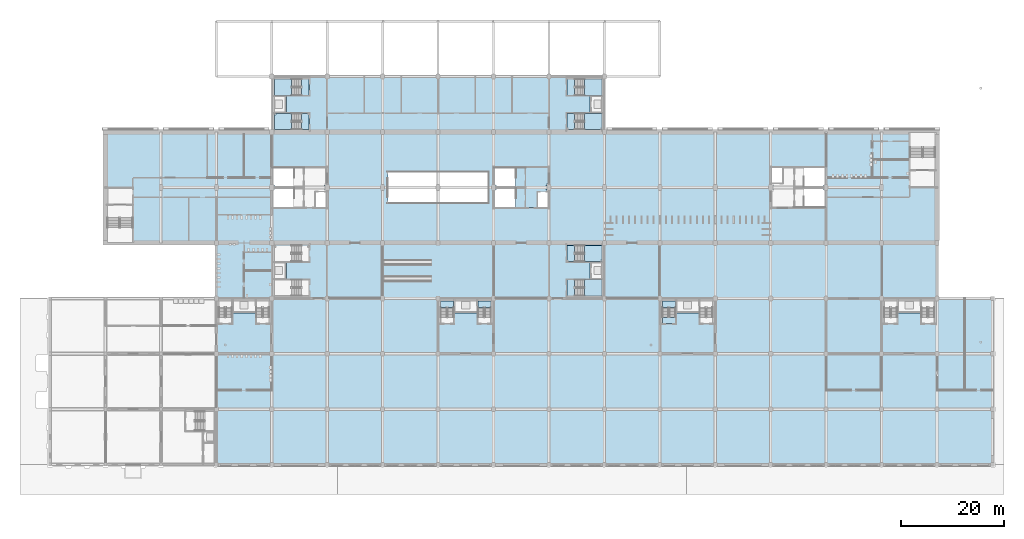
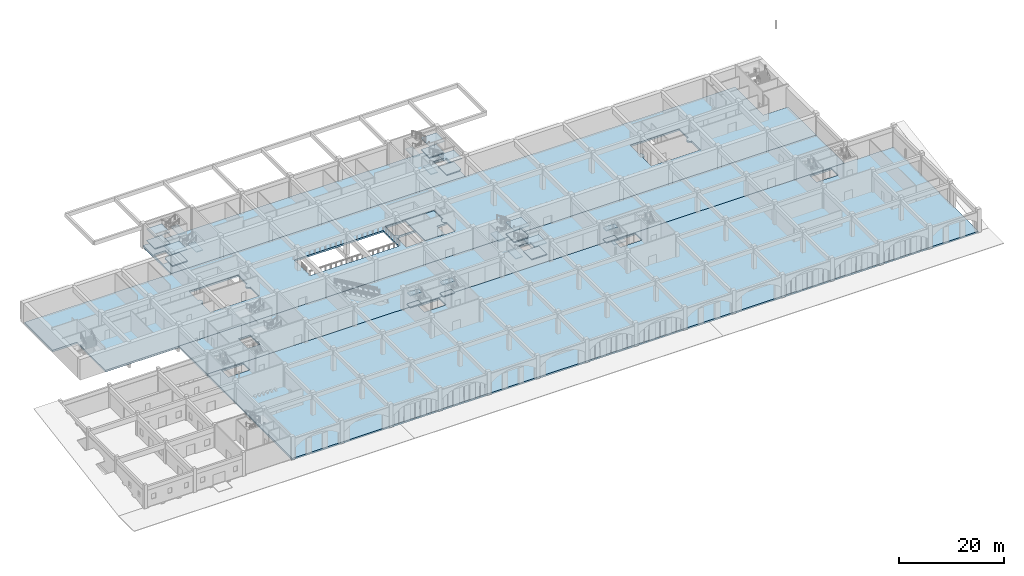
# One storey, part 23 of 101: 30 slabs, 9 elements without a shape of their own.
"""IFC4 building model written with IfcOpenShell, lengths in metres."""

import ifcopenshell
import ifcopenshell.guid

model = None  # the IFC model being written
_history = None  # IfcOwnerHistory: only IFC2X3 demands one
_inside = {}  # id of a spatial element -> (the spatial element, [elements in it])
_under = {}  # id of a project, library or spatial element -> (it, [spatial elements below it])
_declared = {}  # id of a project -> (the project, [libraries it declares])
_typed = {}  # id of a type object -> (the type object, [elements of that type])
_made_of = {}  # id of a material, layer set ... -> (it, [elements and type objects made of it])


def new_model(schema):
    """Start an empty IFC model of exactly this schema.

    Asked for "IFC4X3", IfcOpenShell would pick the latest addendum, in which some entities
    have other attributes; the version numbers below select the first issue.
    IFC2X3 requires an IfcOwnerHistory on every rooted entity: one is made here for all.
    """
    global model, _history
    if schema == "IFC4X3":
        model = ifcopenshell.file(schema_version=(4, 3, 0, 0))
    else:
        model = ifcopenshell.file(schema=schema)
    _inside.clear()
    _under.clear()
    _declared.clear()
    _typed.clear()
    _made_of.clear()
    _history = None
    if model.schema == "IFC2X3":
        org = make("IfcOrganization", Name="unknown")
        user = make(
            "IfcPersonAndOrganization",
            ThePerson=make("IfcPerson", FamilyName="unknown"),
            TheOrganization=org,
        )
        app = make(
            "IfcApplication",
            ApplicationDeveloper=org,
            Version="unknown",
            ApplicationFullName="unknown",
            ApplicationIdentifier="unknown",
        )
        _history = make(
            "IfcOwnerHistory",
            OwningUser=user,
            OwningApplication=app,
            ChangeAction="ADDED",
            CreationDate=0,
        )
    return model


def make(cls, **values):
    """One entity of the class cls with the attributes given. An attribute that is None is left unset."""
    return model.create_entity(
        cls, **{name: value for name, value in values.items() if value is not None}
    )


def rooted(cls, **values):
    """An entity with a GlobalId (a new one), such as an element, a storey or a relation."""
    return make(cls, GlobalId=ifcopenshell.guid.new(), OwnerHistory=_history, **values)


def si_unit(unit_type, name, prefix=None):
    """IfcSIUnit, for example si_unit("LENGTHUNIT", "METRE", prefix="MILLI")."""
    return make("IfcSIUnit", UnitType=unit_type, Prefix=prefix, Name=name)


def assignment(units):
    """IfcUnitAssignment: the units of a project."""
    return None if units is None else make("IfcUnitAssignment", Units=units)


def point(xyz):
    """IfcCartesianPoint."""
    return None if xyz is None else make("IfcCartesianPoint", Coordinates=xyz)


def direction(xyz):
    """IfcDirection."""
    return None if xyz is None else make("IfcDirection", DirectionRatios=xyz)


def frame(location, z_axis=None, x_axis=None):
    """IfcAxis2Placement3D, a coordinate frame: its origin and axes. An axis left out is left unset."""
    return make(
        "IfcAxis2Placement3D",
        Location=point(location),
        Axis=direction(z_axis),
        RefDirection=direction(x_axis),
    )


def origin():
    """The frame at (0, 0, 0) with its axes left unset."""
    return frame((0.0, 0.0, 0.0))


def place(relative_to, where):
    """IfcLocalPlacement: puts the frame where relative to a parent placement (None: the world)."""
    return make(
        "IfcLocalPlacement", PlacementRelTo=relative_to, RelativePlacement=where
    )


def context(
    kind, dimensions, precision=None, world=None, true_north=None, identifier=None
):
    """IfcGeometricRepresentationContext, for example the 3D "Model" context."""
    return make(
        "IfcGeometricRepresentationContext",
        ContextIdentifier=identifier,
        ContextType=kind,
        CoordinateSpaceDimension=dimensions,
        Precision=precision,
        WorldCoordinateSystem=world,
        TrueNorth=true_north,
    )


def subcontext(parent, identifier, kind, view, scale=None):
    """IfcGeometricRepresentationSubContext, for example "Body" below "Model"."""
    return make(
        "IfcGeometricRepresentationSubContext",
        ContextIdentifier=identifier,
        ContextType=kind,
        ParentContext=parent,
        TargetScale=scale,
        TargetView=view,
    )


def project(units=None, contexts=None):
    """IfcProject with its units and contexts."""
    return rooted(
        "IfcProject",
        Name="project",
        RepresentationContexts=contexts,
        UnitsInContext=assignment(units),
    )


def spatial(cls, under=None, at=None, **own):
    """A site, building, storey or space (cls), placed at a placement, below another one or the project."""
    s = rooted(cls, ObjectPlacement=at, **own)
    if under is not None:
        _under.setdefault(under.id(), (under, []))[1].append(s)
    return s


def polyline(points):
    """IfcPolyline through the points."""
    return make("IfcPolyline", Points=[point(p) for p in points])


def outline(outer, holes=None, kind="AREA"):
    """IfcArbitraryClosedProfileDef: a profile drawn as a closed curve; with holes, ...WithVoids."""
    if holes is None:
        return make("IfcArbitraryClosedProfileDef", ProfileType=kind, OuterCurve=outer)
    return make(
        "IfcArbitraryProfileDefWithVoids",
        ProfileType=kind,
        OuterCurve=outer,
        InnerCurves=holes,
    )


def extrude(swept, where, along, depth):
    """IfcExtrudedAreaSolid: the profile swept, set in the frame where, extruded along a direction by depth."""
    return make(
        "IfcExtrudedAreaSolid",
        SweptArea=swept,
        Position=where,
        ExtrudedDirection=direction(along),
        Depth=depth,
    )


def shape(context_of_items, identifier, shape_type, items):
    """IfcShapeRepresentation: the items that make up one representation, for example the "Body"."""
    return make(
        "IfcShapeRepresentation",
        ContextOfItems=context_of_items,
        RepresentationIdentifier=identifier,
        RepresentationType=shape_type,
        Items=items,
    )


def material(Name=None, Category=None):
    """IfcMaterial."""
    return make("IfcMaterial", Name=Name, Category=Category)


def layer(
    of_material, thickness, ventilated=None, Name=None, Category=None, Priority=None
):
    """IfcMaterialLayer: one layer of a wall or slab, of a material (None: an air gap)."""
    return make(
        "IfcMaterialLayer",
        Material=of_material,
        LayerThickness=thickness,
        IsVentilated=ventilated,
        Name=Name,
        Category=Category,
        Priority=Priority,
    )


def layer_set(layers, Name=None):
    """IfcMaterialLayerSet."""
    return make("IfcMaterialLayerSet", MaterialLayers=layers, LayerSetName=Name)


def made_of(thing, what):
    """Note that an element or type object is made of a material, layer set ...; save() writes the relation."""
    if what is not None:
        _made_of.setdefault(what.id(), (what, []))[1].append(thing)
    return thing


def type_object(cls, material=None, **own):
    """A type object (cls), such as IfcWallType, which elements share."""
    return made_of(rooted(cls, **own), material)


def element(
    cls,
    number,
    at=None,
    inside=None,
    cuts=None,
    type_object=None,
    material=None,
    context=None,
    identifier="Body",
    shape_type=None,
    held_by="IfcProductDefinitionShape",
    body=None,
    shapes=None,
    **own,
):
    """One element of the class cls, such as IfcWall. Its Tag is "e" and its number.

    at: its placement. inside: the storey or other place that contains it. cuts: it is an
    opening in that element (IfcRelVoidsElement). A single representation is given by context,
    identifier, shape_type and body (its items); several are given by shapes. held_by: the class
    of the entity that holds the representations. save() writes the other relations.
    """
    e = rooted(cls, Tag="e%d" % number, ObjectPlacement=at, **own)
    if body is not None:
        shapes = [shape(context, identifier, shape_type, body)]
    if shapes is not None:
        e.Representation = make(held_by, Representations=shapes)
    if inside is not None:
        _inside.setdefault(inside.id(), (inside, []))[1].append(e)
    if cuts is not None:
        rooted(
            "IfcRelVoidsElement", RelatingBuildingElement=cuts, RelatedOpeningElement=e
        )
    if type_object is not None:
        _typed.setdefault(type_object.id(), (type_object, []))[1].append(e)
    return made_of(e, material)


def aggregate(whole, parts):
    """IfcRelAggregates: a whole, such as a stair, and the parts it consists of."""
    return rooted("IfcRelAggregates", RelatingObject=whole, RelatedObjects=parts)


def save(model, path):
    """Write the relations noted so far, then the file.

    IfcRelAggregates (storeys below a building ...), IfcRelContainedInSpatialStructure (elements
    in a storey), IfcRelDefinesByType, IfcRelAssociatesMaterial and IfcRelDeclares: one each for
    every whole, place, type object, material and project.
    """
    for whole, parts in _under.values():
        aggregate(whole, parts)
    for where, things in _inside.values():
        rooted(
            "IfcRelContainedInSpatialStructure",
            RelatedElements=things,
            RelatingStructure=where,
        )
    for kind, things in _typed.values():
        rooted("IfcRelDefinesByType", RelatedObjects=things, RelatingType=kind)
    for what, things in _made_of.values():
        rooted("IfcRelAssociatesMaterial", RelatedObjects=things, RelatingMaterial=what)
    for by, libraries in _declared.values():
        rooted("IfcRelDeclares", RelatingContext=by, RelatedDefinitions=libraries)
    model.write(path)


model = new_model("IFC4")

# Units and contexts
model_context = context("Model", 3, precision=1e-05, world=origin(), true_north=direction((0.0, 1.0)))
body_context = subcontext(model_context, "Body", "Model", "MODEL_VIEW")
ifc_project = project(units=[si_unit("LENGTHUNIT", "METRE"), si_unit("AREAUNIT", "SQUARE_METRE"), si_unit("VOLUMEUNIT", "CUBIC_METRE"), si_unit("PLANEANGLEUNIT", "RADIAN"), si_unit("MASSUNIT", "GRAM", prefix="KILO")], contexts=[model_context])

# Site, building, storey
site_placement = place(None, origin())
site = spatial("IfcSite", under=ifc_project, at=site_placement, CompositionType="ELEMENT")
building_placement = place(site_placement, origin())
building = spatial("IfcBuilding", under=site, at=building_placement, Name="Magnolia Steps Interchange", CompositionType="ELEMENT")
storey_placement = place(building_placement, frame((0.0, 0.0, -5.39990234375)))
storey = spatial("IfcBuildingStorey", under=building, at=storey_placement, Name="B1", CompositionType="ELEMENT", Elevation=-5.39990234375)

# Slab
ifc_material_1 = material(Name="Concrete C35", Category="concrete")
ifc_layer_1 = layer(ifc_material_1, 0.39990234375)
ifc_layer_set_1 = layer_set([ifc_layer_1], Name="Core floor slab 400")
slab_type_1 = type_object("IfcSlabType", Name="Core floor slab 400", PredefinedType="FLOOR", material=ifc_layer_set_1)
slab_1_placement = place(storey_placement, frame((0.0, 0.0, -0.400146484375)))
element("IfcSlab", 1, at=slab_1_placement, inside=storey, type_object=slab_type_1, Name="B1 core floor PC2", PredefinedType="FLOOR", context=body_context, shape_type="SweptSolid", body=[
    extrude(outline(polyline([(100.675048828125, 63.875), (97.037841796875, 63.875), (97.046875, 63.936279296875), (97.050048828125, 64.0), (97.046875, 64.063720703125), (97.045166015625, 64.074951171875), (100.675048828125, 64.074951171875), (100.675048828125, 67.824951171875), (96.52490234375, 67.824951171875), (96.52490234375, 67.875), (107.074951171875, 67.875), (107.074951171875, 64.699951171875), (106.699951171875, 64.699951171875), (106.699951171875, 64.4150390625), (106.697509765625, 64.412353515625), (106.659423828125, 64.361083984375), (106.626708984375, 64.306396484375), (106.599609375, 64.248779296875), (106.577880859375, 64.188720703125), (106.5625, 64.126708984375), (106.552978515625, 64.063720703125), (106.550048828125, 64.0), (106.552978515625, 63.936279296875), (106.5625, 63.873291015625), (106.577880859375, 63.811279296875), (106.599609375, 63.751220703125), (106.626708984375, 63.693603515625), (106.659423828125, 63.638916015625), (106.697509765625, 63.587646484375), (106.699951171875, 63.5849609375), (106.699951171875, 63.300048828125), (107.074951171875, 63.300048828125), (107.074951171875, 63.074951171875), (104.97509765625, 63.074951171875), (104.97509765625, 60.125), (100.675048828125, 60.125), (100.675048828125, 63.875)])), origin(), (0.0, 0.0, 1.0), 0.400146484375),
])

# Stair, slabs
ifc_material_2 = material(Name="Concrete C40", Category="concrete")
stair_type_1 = type_object("IfcStairType", Name="Exit stair 1500", PredefinedType="HALF_TURN_STAIR", material=ifc_material_2)
stair_1_placement = place(storey_placement, origin())
stair_1 = element("IfcStair", 2, at=stair_1_placement, inside=storey, type_object=stair_type_1, Name="B1 Stair 1", PredefinedType="HALF_TURN_STAIR")
ifc_material_3 = material(Name="Concrete C40", Category="concrete")
ifc_layer_2 = layer(ifc_material_3, 0.199951171875)
ifc_layer_set_2 = layer_set([ifc_layer_2], Name="Exit stair landing 200")
slab_type_2 = type_object("IfcSlabType", Name="Exit stair landing 200", PredefinedType="LANDING", material=ifc_layer_set_2)
slab_2_placement = place(storey_placement, frame((0.0, 0.0, 1.14990234375)))
slab_2 = element("IfcSlab", 3, at=slab_2_placement, type_object=slab_type_2, Name="Stair 1 landing 1", PredefinedType="LANDING", context=body_context, shape_type="SweptSolid", body=[
    extrude(outline(polyline([(57.0400390625, 78.449951171875), (57.0400390625, 75.300048828125), (53.699951171875, 75.300048828125), (53.699951171875, 78.14990234375), (54.0, 78.14990234375), (54.0, 78.449951171875), (57.0400390625, 78.449951171875)])), origin(), (0.0, 0.0, 1.0), 0.199951171875),
])
slab_3_placement = place(storey_placement, frame((0.0, 0.0, 2.5)))
slab_3 = element("IfcSlab", 4, at=slab_3_placement, type_object=slab_type_2, Name="Stair 1 landing 2", PredefinedType="LANDING", context=body_context, shape_type="SweptSolid", body=[
    extrude(outline(polyline([(60.5, 78.449951171875), (59.0, 78.449951171875), (59.0, 75.300048828125), (60.5, 75.300048828125), (60.5, 78.449951171875)])), origin(), (0.0, 0.0, 1.0), 0.199951171875),
])
slab_4_placement = place(storey_placement, frame((0.0, 0.0, 3.849853515625)))
slab_4 = element("IfcSlab", 5, at=slab_4_placement, type_object=slab_type_2, Name="Stair 1 landing 3", PredefinedType="LANDING", context=body_context, shape_type="SweptSolid", body=[
    extrude(outline(polyline([(57.0400390625, 78.449951171875), (53.699951171875, 78.449951171875), (53.699951171875, 75.300048828125), (57.0400390625, 75.300048828125), (57.0400390625, 78.449951171875)])), origin(), (0.0, 0.0, 1.0), 0.199951171875),
])
aggregate(stair_1, [slab_2, slab_3, slab_4])

stair_2_placement = place(storey_placement, origin())
stair_2 = element("IfcStair", 6, at=stair_2_placement, inside=storey, type_object=stair_type_1, Name="B1 Stair 2", PredefinedType="HALF_TURN_STAIR")
slab_5_placement = place(storey_placement, frame((0.0, 0.0, 1.14990234375)))
slab_5 = element("IfcSlab", 7, at=slab_5_placement, type_object=slab_type_2, Name="Stair 2 landing 1", PredefinedType="LANDING", context=body_context, shape_type="SweptSolid", body=[
    extrude(outline(polyline([(57.0400390625, 85.10009765625), (53.699951171875, 85.10009765625), (53.699951171875, 81.949951171875), (57.0400390625, 81.949951171875), (57.0400390625, 85.10009765625)])), origin(), (0.0, 0.0, 1.0), 0.199951171875),
])
slab_6_placement = place(storey_placement, frame((0.0, 0.0, 2.5)))
slab_6 = element("IfcSlab", 8, at=slab_6_placement, type_object=slab_type_2, Name="Stair 2 landing 2", PredefinedType="LANDING", context=body_context, shape_type="SweptSolid", body=[
    extrude(outline(polyline([(60.5, 85.10009765625), (59.0, 85.10009765625), (59.0, 81.949951171875), (60.5, 81.949951171875), (60.5, 85.10009765625)])), origin(), (0.0, 0.0, 1.0), 0.199951171875),
])
slab_7_placement = place(storey_placement, frame((0.0, 0.0, 3.849853515625)))
slab_7 = element("IfcSlab", 9, at=slab_7_placement, type_object=slab_type_2, Name="Stair 2 landing 3", PredefinedType="LANDING", context=body_context, shape_type="SweptSolid", body=[
    extrude(outline(polyline([(57.0400390625, 85.10009765625), (53.699951171875, 85.10009765625), (53.699951171875, 81.949951171875), (57.0400390625, 81.949951171875), (57.0400390625, 85.10009765625)])), origin(), (0.0, 0.0, 1.0), 0.199951171875),
])
aggregate(stair_2, [slab_5, slab_6, slab_7])

stair_3_placement = place(storey_placement, origin())
stair_3 = element("IfcStair", 10, at=stair_3_placement, inside=storey, type_object=stair_type_1, Name="B1 Stair 3", PredefinedType="HALF_TURN_STAIR")
slab_8_placement = place(storey_placement, frame((0.0, 0.0, 1.14990234375)))
slab_8 = element("IfcSlab", 11, at=slab_8_placement, type_object=slab_type_2, Name="Stair 3 landing 1", PredefinedType="LANDING", context=body_context, shape_type="SweptSolid", body=[
    extrude(outline(polyline([(114.159912109375, 81.949951171875), (117.5, 81.949951171875), (117.5, 85.10009765625), (114.159912109375, 85.10009765625), (114.159912109375, 81.949951171875)])), origin(), (0.0, 0.0, 1.0), 0.199951171875),
])
slab_9_placement = place(storey_placement, frame((0.0, 0.0, 2.5)))
slab_9 = element("IfcSlab", 12, at=slab_9_placement, type_object=slab_type_2, Name="Stair 3 landing 2", PredefinedType="LANDING", context=body_context, shape_type="SweptSolid", body=[
    extrude(outline(polyline([(110.699951171875, 81.949951171875), (112.199951171875, 81.949951171875), (112.199951171875, 85.10009765625), (110.699951171875, 85.10009765625), (110.699951171875, 81.949951171875)])), origin(), (0.0, 0.0, 1.0), 0.199951171875),
])
slab_10_placement = place(storey_placement, frame((0.0, 0.0, 3.849853515625)))
slab_10 = element("IfcSlab", 13, at=slab_10_placement, type_object=slab_type_2, Name="Stair 3 landing 3", PredefinedType="LANDING", context=body_context, shape_type="SweptSolid", body=[
    extrude(outline(polyline([(114.159912109375, 81.949951171875), (117.5, 81.949951171875), (117.5, 85.10009765625), (114.159912109375, 85.10009765625), (114.159912109375, 81.949951171875)])), origin(), (0.0, 0.0, 1.0), 0.199951171875),
])
aggregate(stair_3, [slab_8, slab_9, slab_10])

stair_4_placement = place(storey_placement, origin())
stair_4 = element("IfcStair", 14, at=stair_4_placement, inside=storey, type_object=stair_type_1, Name="B1 Stair 4", PredefinedType="HALF_TURN_STAIR")
slab_11_placement = place(storey_placement, frame((0.0, 0.0, 1.14990234375)))
slab_11 = element("IfcSlab", 15, at=slab_11_placement, type_object=slab_type_2, Name="Stair 4 landing 1", PredefinedType="LANDING", context=body_context, shape_type="SweptSolid", body=[
    extrude(outline(polyline([(114.159912109375, 75.300048828125), (114.159912109375, 78.449951171875), (117.5, 78.449951171875), (117.5, 75.60009765625), (117.199951171875, 75.60009765625), (117.199951171875, 75.300048828125), (114.159912109375, 75.300048828125)])), origin(), (0.0, 0.0, 1.0), 0.199951171875),
])
slab_12_placement = place(storey_placement, frame((0.0, 0.0, 2.5)))
slab_12 = element("IfcSlab", 16, at=slab_12_placement, type_object=slab_type_2, Name="Stair 4 landing 2", PredefinedType="LANDING", context=body_context, shape_type="SweptSolid", body=[
    extrude(outline(polyline([(110.699951171875, 75.300048828125), (112.199951171875, 75.300048828125), (112.199951171875, 78.449951171875), (110.699951171875, 78.449951171875), (110.699951171875, 75.300048828125)])), origin(), (0.0, 0.0, 1.0), 0.199951171875),
])
slab_13_placement = place(storey_placement, frame((0.0, 0.0, 3.849853515625)))
slab_13 = element("IfcSlab", 17, at=slab_13_placement, type_object=slab_type_2, Name="Stair 4 landing 3", PredefinedType="LANDING", context=body_context, shape_type="SweptSolid", body=[
    extrude(outline(polyline([(114.159912109375, 75.300048828125), (117.5, 75.300048828125), (117.5, 78.449951171875), (114.159912109375, 78.449951171875), (114.159912109375, 75.300048828125)])), origin(), (0.0, 0.0, 1.0), 0.199951171875),
])
aggregate(stair_4, [slab_11, slab_12, slab_13])

stair_5_placement = place(storey_placement, origin())
stair_5 = element("IfcStair", 18, at=stair_5_placement, inside=storey, type_object=stair_type_1, Name="B1 Stair 7", PredefinedType="HALF_TURN_STAIR")
slab_14_placement = place(storey_placement, frame((0.0, 0.0, 1.14990234375)))
slab_14 = element("IfcSlab", 19, at=slab_14_placement, type_object=slab_type_2, Name="Stair 7 landing 1", PredefinedType="LANDING", context=body_context, shape_type="SweptSolid", body=[
    extrude(outline(polyline([(114.159912109375, 49.550048828125), (114.159912109375, 52.699951171875), (117.5, 52.699951171875), (117.5, 49.85009765625), (117.199951171875, 49.85009765625), (117.199951171875, 49.550048828125), (114.159912109375, 49.550048828125)])), origin(), (0.0, 0.0, 1.0), 0.199951171875),
])
slab_15_placement = place(storey_placement, frame((0.0, 0.0, 2.5)))
slab_15 = element("IfcSlab", 20, at=slab_15_placement, type_object=slab_type_2, Name="Stair 7 landing 2", PredefinedType="LANDING", context=body_context, shape_type="SweptSolid", body=[
    extrude(outline(polyline([(110.699951171875, 49.550048828125), (112.199951171875, 49.550048828125), (112.199951171875, 52.699951171875), (110.699951171875, 52.699951171875), (110.699951171875, 49.550048828125)])), origin(), (0.0, 0.0, 1.0), 0.199951171875),
])
slab_16_placement = place(storey_placement, frame((0.0, 0.0, 3.849853515625)))
slab_16 = element("IfcSlab", 21, at=slab_16_placement, type_object=slab_type_2, Name="Stair 7 landing 3", PredefinedType="LANDING", context=body_context, shape_type="SweptSolid", body=[
    extrude(outline(polyline([(114.159912109375, 49.550048828125), (117.5, 49.550048828125), (117.5, 52.699951171875), (114.159912109375, 52.699951171875), (114.159912109375, 49.550048828125)])), origin(), (0.0, 0.0, 1.0), 0.199951171875),
])
aggregate(stair_5, [slab_14, slab_15, slab_16])

stair_6_placement = place(storey_placement, origin())
stair_6 = element("IfcStair", 22, at=stair_6_placement, inside=storey, type_object=stair_type_1, Name="B1 Stair 8", PredefinedType="HALF_TURN_STAIR")
slab_17_placement = place(storey_placement, frame((0.0, 0.0, 1.14990234375)))
slab_17 = element("IfcSlab", 23, at=slab_17_placement, type_object=slab_type_2, Name="Stair 8 landing 1", PredefinedType="LANDING", context=body_context, shape_type="SweptSolid", body=[
    extrude(outline(polyline([(114.159912109375, 42.89990234375), (117.5, 42.89990234375), (117.5, 46.050048828125), (114.159912109375, 46.050048828125), (114.159912109375, 42.89990234375)])), origin(), (0.0, 0.0, 1.0), 0.199951171875),
])
slab_18_placement = place(storey_placement, frame((0.0, 0.0, 2.5)))
slab_18 = element("IfcSlab", 24, at=slab_18_placement, type_object=slab_type_2, Name="Stair 8 landing 2", PredefinedType="LANDING", context=body_context, shape_type="SweptSolid", body=[
    extrude(outline(polyline([(110.699951171875, 42.89990234375), (112.199951171875, 42.89990234375), (112.199951171875, 46.050048828125), (110.699951171875, 46.050048828125), (110.699951171875, 42.89990234375)])), origin(), (0.0, 0.0, 1.0), 0.199951171875),
])
slab_19_placement = place(storey_placement, frame((0.0, 0.0, 3.849853515625)))
slab_19 = element("IfcSlab", 25, at=slab_19_placement, type_object=slab_type_2, Name="Stair 8 landing 3", PredefinedType="LANDING", context=body_context, shape_type="SweptSolid", body=[
    extrude(outline(polyline([(114.159912109375, 42.89990234375), (117.5, 42.89990234375), (117.5, 46.050048828125), (114.159912109375, 46.050048828125), (114.159912109375, 42.89990234375)])), origin(), (0.0, 0.0, 1.0), 0.199951171875),
])
aggregate(stair_6, [slab_17, slab_18, slab_19])

ifc_material_4 = material(Name="Concrete C40", Category="concrete")
stair_type_2 = type_object("IfcStairType", Name="Exit stair 1200", PredefinedType="HALF_TURN_STAIR", material=ifc_material_4)
stair_7_placement = place(storey_placement, origin())
stair_7 = element("IfcStair", 26, at=stair_7_placement, inside=storey, type_object=stair_type_2, Name="B1 Stair 19", PredefinedType="HALF_TURN_STAIR")
slab_20_placement = place(storey_placement, frame((0.0, 0.0, 1.14990234375)))
slab_20 = element("IfcSlab", 27, at=slab_20_placement, type_object=slab_type_2, Name="Stair 19 landing 1", PredefinedType="LANDING", context=body_context, shape_type="SweptSolid", body=[
    extrude(outline(polyline([(88.64990234375, 40.659912109375), (88.64990234375, 41.89990234375), (86.10009765625, 41.89990234375), (86.10009765625, 40.659912109375), (88.64990234375, 40.659912109375)])), origin(), (0.0, 0.0, 1.0), 0.199951171875),
])
slab_21_placement = place(storey_placement, frame((0.0, 0.0, 3.849853515625)))
slab_21 = element("IfcSlab", 28, at=slab_21_placement, type_object=slab_type_2, Name="Stair 19 landing 3", PredefinedType="LANDING", context=body_context, shape_type="SweptSolid", body=[
    extrude(outline(polyline([(88.64990234375, 40.659912109375), (88.64990234375, 41.89990234375), (86.10009765625, 41.89990234375), (86.10009765625, 40.659912109375), (88.64990234375, 40.659912109375)])), origin(), (0.0, 0.0, 1.0), 0.199951171875),
])
aggregate(stair_7, [slab_20, slab_21])

stair_8_placement = place(storey_placement, origin())
stair_8 = element("IfcStair", 29, at=stair_8_placement, inside=storey, type_object=stair_type_2, Name="B1 Stair 20", PredefinedType="HALF_TURN_STAIR")
slab_22_placement = place(storey_placement, frame((0.0, 0.0, 1.14990234375)))
slab_22 = element("IfcSlab", 30, at=slab_22_placement, type_object=slab_type_2, Name="Stair 20 landing 1", PredefinedType="LANDING", context=body_context, shape_type="SweptSolid", body=[
    extrude(outline(polyline([(95.89990234375, 40.659912109375), (95.89990234375, 41.89990234375), (93.35009765625, 41.89990234375), (93.35009765625, 40.659912109375), (95.89990234375, 40.659912109375)])), origin(), (0.0, 0.0, 1.0), 0.199951171875),
])
slab_23_placement = place(storey_placement, frame((0.0, 0.0, 3.849853515625)))
slab_23 = element("IfcSlab", 31, at=slab_23_placement, type_object=slab_type_2, Name="Stair 20 landing 3", PredefinedType="LANDING", context=body_context, shape_type="SweptSolid", body=[
    extrude(outline(polyline([(95.89990234375, 40.659912109375), (95.89990234375, 41.89990234375), (93.35009765625, 41.89990234375), (93.35009765625, 40.659912109375), (95.89990234375, 40.659912109375)])), origin(), (0.0, 0.0, 1.0), 0.199951171875),
])
aggregate(stair_8, [slab_22, slab_23])

stair_9_placement = place(storey_placement, origin())
stair_9 = element("IfcStair", 32, at=stair_9_placement, inside=storey, type_object=stair_type_2, Name="B1 Stair 21", PredefinedType="HALF_TURN_STAIR")
slab_24_placement = place(storey_placement, frame((0.0, 0.0, 1.14990234375)))
slab_24 = element("IfcSlab", 33, at=slab_24_placement, type_object=slab_type_2, Name="Stair 21 landing 1", PredefinedType="LANDING", context=body_context, shape_type="SweptSolid", body=[
    extrude(outline(polyline([(131.85009765625, 40.659912109375), (131.85009765625, 41.89990234375), (129.300048828125, 41.89990234375), (129.300048828125, 40.659912109375), (131.85009765625, 40.659912109375)])), origin(), (0.0, 0.0, 1.0), 0.199951171875),
])
slab_25_placement = place(storey_placement, frame((0.0, 0.0, 2.5)))
slab_25 = element("IfcSlab", 34, at=slab_25_placement, type_object=slab_type_2, Name="Stair 21 landing 2", PredefinedType="LANDING", context=body_context, shape_type="SweptSolid", body=[
    extrude(outline(polyline([(131.85009765625, 37.5), (131.85009765625, 38.699951171875), (129.300048828125, 38.699951171875), (129.300048828125, 37.5), (131.85009765625, 37.5)])), origin(), (0.0, 0.0, 1.0), 0.199951171875),
])
slab_26_placement = place(storey_placement, frame((0.0, 0.0, 3.849853515625)))
slab_26 = element("IfcSlab", 35, at=slab_26_placement, type_object=slab_type_2, Name="Stair 21 landing 3", PredefinedType="LANDING", context=body_context, shape_type="SweptSolid", body=[
    extrude(outline(polyline([(131.85009765625, 40.659912109375), (131.85009765625, 41.89990234375), (129.300048828125, 41.89990234375), (129.300048828125, 40.659912109375), (131.85009765625, 40.659912109375)])), origin(), (0.0, 0.0, 1.0), 0.199951171875),
])
aggregate(stair_9, [slab_24, slab_25, slab_26])

# Slabs
ifc_material_5 = material(Name="Concrete C40", Category="concrete")
ifc_layer_3 = layer(ifc_material_5, 0.39990234375)
ifc_layer_set_3 = layer_set([ifc_layer_3], Name="Floor slab 400")
slab_type_3 = type_object("IfcSlabType", Name="Floor slab 400", PredefinedType="FLOOR", material=ifc_layer_set_3)
slab_27_placement = place(storey_placement, frame((0.0, 0.0, -0.400146484375)))
element("IfcSlab", 36, at=slab_27_placement, inside=storey, type_object=slab_type_3, Name="SL/B1/MET1", PredefinedType="FLOOR", context=body_context, shape_type="SweptSolid", body=[
    extrude(outline(polyline([(182.800048828125, 64.0), (177.39990234375, 64.0), (177.39990234375, 74.800048828125), (20.800048828125, 74.800048828125), (20.800048828125, 64.0), (26.199951171875, 64.0), (26.199951171875, 53.199951171875), (182.800048828125, 53.199951171875), (182.800048828125, 64.0)]), holes=[polyline([(64.0, 68.0), (53.199951171875, 68.0), (53.199951171875, 64.64990234375), (53.263671875, 64.64697265625), (53.326904296875, 64.637451171875), (53.388671875, 64.6220703125), (53.44873046875, 64.6005859375), (53.50634765625, 64.5732421875), (53.56103515625, 64.54052734375), (53.6123046875, 64.50244140625), (53.65966796875, 64.459716796875), (53.702392578125, 64.412353515625), (53.740478515625, 64.361083984375), (53.773193359375, 64.306396484375), (53.800537109375, 64.248779296875), (53.822021484375, 64.188720703125), (53.83740234375, 64.126708984375), (53.846923828125, 64.063720703125), (53.85009765625, 64.0), (53.846923828125, 63.936279296875), (53.83740234375, 63.873291015625), (53.822021484375, 63.811279296875), (53.800537109375, 63.751220703125), (53.773193359375, 63.693603515625), (53.740478515625, 63.638916015625), (53.702392578125, 63.587646484375), (53.65966796875, 63.540283203125), (53.6123046875, 63.49755859375), (53.56103515625, 63.45947265625), (53.50634765625, 63.4267578125), (53.44873046875, 63.3994140625), (53.388671875, 63.3779296875), (53.326904296875, 63.362548828125), (53.263671875, 63.35302734375), (53.199951171875, 63.35009765625), (53.199951171875, 60.0), (64.0, 60.0), (64.0, 63.35009765625), (63.936279296875, 63.35302734375), (63.873291015625, 63.362548828125), (63.811279296875, 63.3779296875), (63.751220703125, 63.3994140625), (63.693603515625, 63.4267578125), (63.638916015625, 63.45947265625), (63.587646484375, 63.49755859375), (63.540283203125, 63.540283203125), (63.49755859375, 63.587646484375), (63.45947265625, 63.638916015625), (63.4267578125, 63.693603515625), (63.3994140625, 63.751220703125), (63.3779296875, 63.811279296875), (63.362548828125, 63.873291015625), (63.35302734375, 63.936279296875), (63.35009765625, 64.0), (63.35302734375, 64.063720703125), (63.362548828125, 64.126708984375), (63.3779296875, 64.188720703125), (63.3994140625, 64.248779296875), (63.4267578125, 64.306396484375), (63.45947265625, 64.361083984375), (63.49755859375, 64.412353515625), (63.540283203125, 64.459716796875), (63.587646484375, 64.50244140625), (63.638916015625, 64.54052734375), (63.693603515625, 64.5732421875), (63.751220703125, 64.6005859375), (63.811279296875, 64.6220703125), (63.873291015625, 64.637451171875), (63.936279296875, 64.64697265625), (64.0, 64.64990234375), (64.0, 68.0)]), polyline([(95.39990234375, 67.0), (75.800048828125, 67.0), (75.800048828125, 61.0), (95.39990234375, 61.0), (95.39990234375, 67.0)]), polyline([(96.39990234375, 68.0), (96.39990234375, 64.64990234375), (96.463623046875, 64.64697265625), (96.52685546875, 64.637451171875), (96.588623046875, 64.6220703125), (96.648681640625, 64.6005859375), (96.706298828125, 64.5732421875), (96.760986328125, 64.54052734375), (96.8125, 64.50244140625), (96.859619140625, 64.459716796875), (96.902587890625, 64.412353515625), (96.9404296875, 64.361083984375), (96.97314453125, 64.306396484375), (97.00048828125, 64.248779296875), (97.02197265625, 64.188720703125), (97.03759765625, 64.126708984375), (97.046875, 64.063720703125), (97.050048828125, 64.0), (97.046875, 63.936279296875), (97.03759765625, 63.873291015625), (97.02197265625, 63.811279296875), (97.00048828125, 63.751220703125), (96.97314453125, 63.693603515625), (96.9404296875, 63.638916015625), (96.902587890625, 63.587646484375), (96.859619140625, 63.540283203125), (96.8125, 63.49755859375), (96.760986328125, 63.45947265625), (96.706298828125, 63.4267578125), (96.648681640625, 63.3994140625), (96.588623046875, 63.3779296875), (96.52685546875, 63.362548828125), (96.463623046875, 63.35302734375), (96.39990234375, 63.35009765625), (96.39990234375, 60.0), (107.199951171875, 60.0), (107.199951171875, 63.35009765625), (107.13623046875, 63.35302734375), (107.0732421875, 63.362548828125), (107.01123046875, 63.3779296875), (106.951416015625, 63.3994140625), (106.8935546875, 63.4267578125), (106.8388671875, 63.45947265625), (106.78759765625, 63.49755859375), (106.740478515625, 63.540283203125), (106.697509765625, 63.587646484375), (106.659423828125, 63.638916015625), (106.626708984375, 63.693603515625), (106.599609375, 63.751220703125), (106.577880859375, 63.811279296875), (106.5625, 63.873291015625), (106.552978515625, 63.936279296875), (106.550048828125, 64.0), (106.552978515625, 64.063720703125), (106.5625, 64.126708984375), (106.577880859375, 64.188720703125), (106.599609375, 64.248779296875), (106.626708984375, 64.306396484375), (106.659423828125, 64.361083984375), (106.697509765625, 64.412353515625), (106.740478515625, 64.459716796875), (106.78759765625, 64.50244140625), (106.8388671875, 64.54052734375), (106.8935546875, 64.5732421875), (106.951416015625, 64.6005859375), (107.01123046875, 64.6220703125), (107.0732421875, 64.637451171875), (107.13623046875, 64.64697265625), (107.199951171875, 64.64990234375), (107.199951171875, 68.0), (96.39990234375, 68.0)]), polyline([(161.199951171875, 68.0), (150.39990234375, 68.0), (150.39990234375, 64.64990234375), (150.463623046875, 64.64697265625), (150.52685546875, 64.637451171875), (150.588623046875, 64.6220703125), (150.648681640625, 64.6005859375), (150.706298828125, 64.5732421875), (150.760986328125, 64.54052734375), (150.8125, 64.50244140625), (150.859619140625, 64.459716796875), (150.902587890625, 64.412353515625), (150.9404296875, 64.361083984375), (150.97314453125, 64.306396484375), (151.00048828125, 64.248779296875), (151.02197265625, 64.188720703125), (151.03759765625, 64.126708984375), (151.046875, 64.063720703125), (151.050048828125, 64.0), (151.046875, 63.936279296875), (151.03759765625, 63.873291015625), (151.02197265625, 63.811279296875), (151.00048828125, 63.751220703125), (150.97314453125, 63.693603515625), (150.9404296875, 63.638916015625), (150.902587890625, 63.587646484375), (150.859619140625, 63.540283203125), (150.8125, 63.49755859375), (150.760986328125, 63.45947265625), (150.706298828125, 63.4267578125), (150.648681640625, 63.3994140625), (150.588623046875, 63.3779296875), (150.52685546875, 63.362548828125), (150.463623046875, 63.35302734375), (150.39990234375, 63.35009765625), (150.39990234375, 60.0), (161.199951171875, 60.0), (161.199951171875, 63.35009765625), (161.13623046875, 63.35302734375), (161.0732421875, 63.362548828125), (161.01123046875, 63.3779296875), (160.951416015625, 63.3994140625), (160.8935546875, 63.4267578125), (160.8388671875, 63.45947265625), (160.78759765625, 63.49755859375), (160.740478515625, 63.540283203125), (160.697509765625, 63.587646484375), (160.659423828125, 63.638916015625), (160.626708984375, 63.693603515625), (160.599609375, 63.751220703125), (160.577880859375, 63.811279296875), (160.5625, 63.873291015625), (160.552978515625, 63.936279296875), (160.550048828125, 64.0), (160.552978515625, 64.063720703125), (160.5625, 64.126708984375), (160.577880859375, 64.188720703125), (160.599609375, 64.248779296875), (160.626708984375, 64.306396484375), (160.659423828125, 64.361083984375), (160.697509765625, 64.412353515625), (160.740478515625, 64.459716796875), (160.78759765625, 64.50244140625), (160.8388671875, 64.54052734375), (160.8935546875, 64.5732421875), (160.951416015625, 64.6005859375), (161.01123046875, 64.6220703125), (161.0732421875, 64.637451171875), (161.13623046875, 64.64697265625), (161.199951171875, 64.64990234375), (161.199951171875, 68.0)])]), origin(), (0.0, 0.0, 1.0), 0.400146484375),
])
slab_28_placement = place(storey_placement, frame((0.0, 0.0, -0.400146484375)))
element("IfcSlab", 37, at=slab_28_placement, inside=storey, type_object=slab_type_3, Name="SL/B1/CON2", PredefinedType="FLOOR", context=body_context, shape_type="SweptSolid", body=[
    extrude(outline(polyline([(42.39990234375, 42.39990234375), (182.800048828125, 42.39990234375), (182.800048828125, 53.199951171875), (42.39990234375, 53.199951171875), (42.39990234375, 42.39990234375)]), holes=[polyline([(56.050048828125, 46.0), (56.050048828125, 49.60009765625), (53.449951171875, 49.60009765625), (53.449951171875, 46.0), (56.050048828125, 46.0)]), polyline([(115.14990234375, 49.60009765625), (115.14990234375, 46.0), (117.75, 46.0), (117.75, 49.60009765625), (115.14990234375, 49.60009765625)])]), origin(), (0.0, 0.0, 1.0), 0.400146484375),
])
slab_29_placement = place(storey_placement, frame((0.0, 0.0, -0.400146484375)))
element("IfcSlab", 38, at=slab_29_placement, inside=storey, type_object=slab_type_3, Name="SL/B1/COV3", PredefinedType="FLOOR", context=body_context, shape_type="SweptSolid", body=[
    extrude(outline(polyline([(42.39990234375, 10.0), (193.60009765625, 10.0), (193.60009765625, 42.39990234375), (42.39990234375, 42.39990234375), (42.39990234375, 10.0)]), holes=[polyline([(45.39990234375, 42.14990234375), (45.39990234375, 39.550048828125), (50.199951171875, 39.550048828125), (50.199951171875, 42.14990234375), (45.39990234375, 42.14990234375)]), polyline([(88.60009765625, 42.14990234375), (88.60009765625, 39.550048828125), (93.39990234375, 39.550048828125), (93.39990234375, 42.14990234375), (88.60009765625, 42.14990234375)]), polyline([(131.800048828125, 42.14990234375), (131.800048828125, 39.550048828125), (136.60009765625, 39.550048828125), (136.60009765625, 42.14990234375), (131.800048828125, 42.14990234375)]), polyline([(175.0, 42.14990234375), (175.0, 39.550048828125), (179.800048828125, 39.550048828125), (179.800048828125, 42.14990234375), (175.0, 42.14990234375)])]), origin(), (0.0, 0.0, 1.0), 0.400146484375),
])
slab_30_placement = place(storey_placement, frame((0.0, 0.0, -0.400146484375)))
element("IfcSlab", 39, at=slab_30_placement, inside=storey, type_object=slab_type_3, Name="SL/B1/CON4", PredefinedType="FLOOR", context=body_context, shape_type="SweptSolid", body=[
    extrude(outline(polyline([(53.199951171875, 74.800048828125), (118.0, 74.800048828125), (118.0, 85.60009765625), (53.199951171875, 85.60009765625), (53.199951171875, 74.800048828125)]), holes=[polyline([(56.050048828125, 78.39990234375), (56.050048828125, 82.0), (53.449951171875, 82.0), (53.449951171875, 78.39990234375), (56.050048828125, 78.39990234375)]), polyline([(115.14990234375, 82.0), (115.14990234375, 78.39990234375), (117.75, 78.39990234375), (117.75, 82.0), (115.14990234375, 82.0)])]), origin(), (0.0, 0.0, 1.0), 0.400146484375),
])

save(model, "model.ifc")
